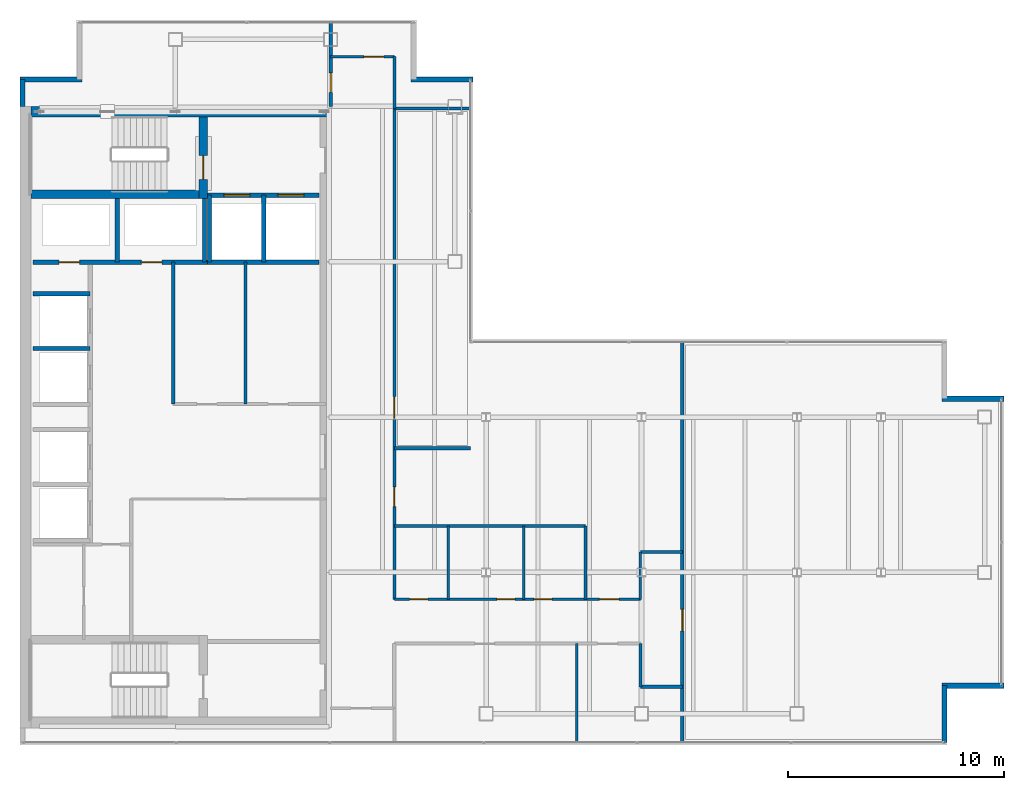
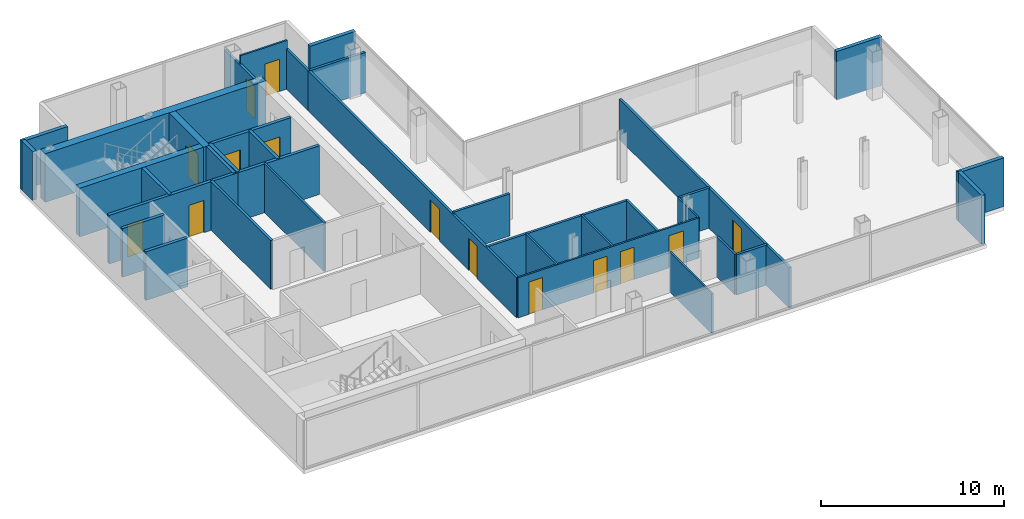
# One storey, part 21 of 23: 37 walls, 14 doors, 14 openings.
"""IFC4 building model written with IfcOpenShell, lengths in metres."""

from ifc_helpers import new_model, si_unit, direction, frame, frame_2d, origin, place, context, subcontext, project, spatial, rectangle, extrude, material, layer, layer_set, type_object, element, fill, save


model = new_model("IFC4")

# Units and contexts
model_context = context("Model", 3, precision=1e-05, world=origin(), true_north=direction((0.0, 1.0)))
body_context = subcontext(model_context, "Body", "Model", "MODEL_VIEW")
ifc_project = project(units=[si_unit("LENGTHUNIT", "METRE"), si_unit("AREAUNIT", "SQUARE_METRE"), si_unit("VOLUMEUNIT", "CUBIC_METRE"), si_unit("PLANEANGLEUNIT", "RADIAN"), si_unit("MASSUNIT", "GRAM", prefix="KILO")], contexts=[model_context])

# Site, building, storey
site_placement = place(None, origin())
site = spatial("IfcSite", under=ifc_project, at=site_placement, CompositionType="ELEMENT")
building_placement = place(site_placement, origin())
building = spatial("IfcBuilding", under=site, at=building_placement, Name="Cobrela Telecom Tower", CompositionType="ELEMENT")
storey_placement = place(building_placement, frame((0.0, 0.0, 272.64990234375)))
storey = spatial("IfcBuildingStorey", under=building, at=storey_placement, Name="L71", CompositionType="ELEMENT", Elevation=272.64990234375)

# Walls
ifc_material_1 = material(Name="Concrete C40/50", Category="concrete")
ifc_layer_1 = layer(ifc_material_1, 0.5)
ifc_layer_set_1 = layer_set([ifc_layer_1], Name="Concrete C40/50")
wall_type_1 = type_object("IfcWallType", Name="WALL-CORE-C40-500", PredefinedType="SHEAR", material=ifc_layer_set_1)
wall_1_placement = place(storey_placement, frame((0.5, 35.75, 0.0), z_axis=(0.0, 0.0, 1.0), x_axis=(1.0, 0.0, 0.0)))
element("IfcWall", 1, at=wall_1_placement, inside=storey, type_object=wall_type_1, Name="L71 North Core Shear Wall", PredefinedType="SHEAR", context=body_context, shape_type="SweptSolid", body=[
    extrude(rectangle(XDim=13.89990234375, YDim=0.5, at=frame_2d((6.949951171875, 0.0))), origin(), (0.0, 0.0, 1.0), 3.239990234375),
])
ifc_layer_2 = layer(ifc_material_1, 0.239990234375)
ifc_layer_set_2 = layer_set([ifc_layer_2], Name="Concrete C40/50")
wall_type_2 = type_object("IfcWallType", Name="WALL-EXT-300", PredefinedType="STANDARD", material=ifc_layer_set_2)
wall_2_placement = place(storey_placement, frame((0.1201171875, 36.0, 0.0), z_axis=(0.0, 0.0, 1.0), x_axis=(0.0, 1.0, 0.0)))
element("IfcWall", 2, at=wall_2_placement, inside=storey, type_object=wall_type_2, Name="L71 Insulated Facade Wall 02", PredefinedType="STANDARD", context=body_context, shape_type="SweptSolid", body=[
    extrude(rectangle(XDim=1.25, YDim=0.239990234375, at=frame_2d((0.625, 0.0))), origin(), (0.0, 0.0, 1.0), 3.239990234375),
])
for number, where, z_axis, x_axis, name in (
    (3, (0.0, 37.25, 0.0), (0.0, 0.0, 1.0), (1.0, 0.0, 0.0), "L71 Insulated Facade Wall 03"),
    (4, (18.1298828125, 37.25, 0.0), (0.0, 0.0, 1.0), (1.0, 0.0, 0.0), "L71 Insulated Facade Wall 07"),
    (5, (42.72998046875, 22.449951171875, 0.0), (0.0, 0.0, 1.0), (1.0, 0.0, 0.0), "L71 Insulated Facade Wall 11"),
    (6, (45.60009765625, 9.14990234375, 0.0), (0.0, 0.0, 1.0), (-1.0, 0.0, 0.0), "L71 Insulated Facade Wall 13"),
):
    element("IfcWall", number, at=place(storey_placement, frame(where, z_axis=z_axis, x_axis=x_axis)), inside=storey, type_object=wall_type_2, Name=name, PredefinedType="STANDARD", context=body_context, shape_type="SweptSolid", body=[
        extrude(rectangle(XDim=2.8701171875, YDim=0.239990234375, at=frame_2d((1.43505859375, 0.0))), origin(), (0.0, 0.0, 1.0), 3.239990234375),
    ])
wall_3_placement = place(storey_placement, frame((42.85009765625, 9.14990234375, 0.0), z_axis=(0.0, 0.0, 1.0), x_axis=(0.0, -1.0, 0.0)))
element("IfcWall", 7, at=wall_3_placement, inside=storey, type_object=wall_type_2, Name="L71 Insulated Facade Wall 14", PredefinedType="STANDARD", context=body_context, shape_type="SweptSolid", body=[
    extrude(rectangle(XDim=2.6298828125, YDim=0.239990234375, at=frame_2d((1.31494140625, 0.0))), origin(), (0.0, 0.0, 1.0), 3.239990234375),
])

# Wall, openings, doors
ifc_material_2 = material(Name="Fire-Rated Gypsum Plasterboard")
ifc_layer_3 = layer(ifc_material_2, 0.110107421875)
ifc_layer_set_3 = layer_set([ifc_layer_3], Name="Fire-Rated Gypsum Plasterboard")
wall_type_3 = type_object("IfcWallType", Name="WALL-PART-110", PredefinedType="PARTITIONING", material=ifc_layer_set_3)
wall_4_placement = place(storey_placement, frame((17.35009765625, 13.14990234375, 0.0), z_axis=(0.0, 0.0, 1.0), x_axis=(1.0, 0.0, 0.0)))
wall_4 = element("IfcWall", 8, at=wall_4_placement, inside=storey, type_object=wall_type_3, Name="L71 Interior Partition W-C-HN", PredefinedType="PARTITIONING", context=body_context, shape_type="SweptSolid", body=[
    extrude(rectangle(XDim=11.39990234375, YDim=0.110107421875, at=frame_2d((5.699951171875, 0.0))), origin(), (0.0, 0.0, 1.0), 2.676025390625),
])
opening_1_placement = place(wall_4_placement, frame((0.699951171875, 0.0, 0.0)))
opening_1 = element("IfcOpeningElement", 9, at=opening_1_placement, cuts=wall_4, Name="Opening DR-11", PredefinedType="OPENING", context=body_context, shape_type="SweptSolid", body=[
    extrude(rectangle(XDim=0.85009765625, YDim=2.14990234375, at=frame_2d((0.425048828125, 1.074951171875))), frame((0.0, 0.06689453125, 0.0), z_axis=(0.0, -1.0, 0.0), x_axis=(1.0, 0.0, 0.0)), (0.0, 0.0, 1.0), 0.134033203125),
])
opening_2_placement = place(wall_4_placement, frame((4.75, 0.0, 0.0)))
opening_2 = element("IfcOpeningElement", 10, at=opening_2_placement, cuts=wall_4, Name="Opening DR-11", PredefinedType="OPENING", context=body_context, shape_type="SweptSolid", body=[
    extrude(rectangle(XDim=0.85009765625, YDim=2.14990234375, at=frame_2d((0.425048828125, 1.074951171875))), frame((0.0, 0.06689453125, 0.0), z_axis=(0.0, -1.0, 0.0), x_axis=(1.0, 0.0, 0.0)), (0.0, 0.0, 1.0), 0.134033203125),
])
opening_3_placement = place(wall_4_placement, frame((6.4599609375, 0.0, 0.0)))
opening_3 = element("IfcOpeningElement", 11, at=opening_3_placement, cuts=wall_4, Name="Opening DR-11", PredefinedType="OPENING", context=body_context, shape_type="SweptSolid", body=[
    extrude(rectangle(XDim=0.85009765625, YDim=2.14990234375, at=frame_2d((0.425048828125, 1.074951171875))), frame((0.0, 0.06689453125, 0.0), z_axis=(0.0, -1.0, 0.0), x_axis=(1.0, 0.0, 0.0)), (0.0, 0.0, 1.0), 0.134033203125),
])
opening_4_placement = place(wall_4_placement, frame((9.5, 0.0, 0.0)))
opening_4 = element("IfcOpeningElement", 12, at=opening_4_placement, cuts=wall_4, Name="Opening DR-45", PredefinedType="OPENING", context=body_context, shape_type="SweptSolid", body=[
    extrude(rectangle(XDim=0.919921875, YDim=2.14990234375, at=frame_2d((0.4599609375, 1.074951171875))), frame((0.0, 0.06689453125, 0.0), z_axis=(0.0, -1.0, 0.0), x_axis=(1.0, 0.0, 0.0)), (0.0, 0.0, 1.0), 0.134033203125),
])
ifc_material_3 = material(Name="Solid Engineered Oak Timber", Category="wood")
door_type_1 = type_object("IfcDoorType", Name="DOOR-INT-850", OperationType="SINGLE_SWING_LEFT", PredefinedType="DOOR", material=ifc_material_3)
door_1_placement = place(opening_1_placement, origin())
door_1 = element("IfcDoor", 13, at=door_1_placement, inside=storey, type_object=door_type_1, Name="L71 Door DR-11", OperationType="SINGLE_SWING_LEFT", OverallHeight=2.14990234375, OverallWidth=0.85009765625, PredefinedType="DOOR", context=body_context, shape_type="SweptSolid", body=[
    extrude(rectangle(XDim=0.85009765625, YDim=2.14990234375, at=frame_2d((0.425048828125, 1.074951171875))), frame((0.0, 0.02490234375, 0.0), z_axis=(0.0, -1.0, 0.0), x_axis=(1.0, 0.0, 0.0)), (0.0, 0.0, 1.0), 0.050048828125),
])
fill(opening_1, door_1)
door_2_placement = place(opening_2_placement, origin())
door_2 = element("IfcDoor", 14, at=door_2_placement, inside=storey, type_object=door_type_1, Name="L71 Door DR-11", OperationType="SINGLE_SWING_RIGHT", OverallHeight=2.14990234375, OverallWidth=0.85009765625, PredefinedType="DOOR", context=body_context, shape_type="SweptSolid", body=[
    extrude(rectangle(XDim=0.85009765625, YDim=2.14990234375, at=frame_2d((0.425048828125, 1.074951171875))), frame((0.0, 0.02490234375, 0.0), z_axis=(0.0, -1.0, 0.0), x_axis=(1.0, 0.0, 0.0)), (0.0, 0.0, 1.0), 0.050048828125),
])
fill(opening_2, door_2)
door_3_placement = place(opening_3_placement, origin())
door_3 = element("IfcDoor", 15, at=door_3_placement, inside=storey, type_object=door_type_1, Name="L71 Door DR-11", OperationType="SINGLE_SWING_LEFT", OverallHeight=2.14990234375, OverallWidth=0.85009765625, PredefinedType="DOOR", context=body_context, shape_type="SweptSolid", body=[
    extrude(rectangle(XDim=0.85009765625, YDim=2.14990234375, at=frame_2d((0.425048828125, 1.074951171875))), frame((0.0, 0.02490234375, 0.0), z_axis=(0.0, -1.0, 0.0), x_axis=(1.0, 0.0, 0.0)), (0.0, 0.0, 1.0), 0.050048828125),
])
fill(opening_3, door_3)
door_type_2 = type_object("IfcDoorType", Name="DOOR-INT-920", OperationType="SINGLE_SWING_LEFT", PredefinedType="DOOR", material=ifc_material_3)
door_4_placement = place(opening_4_placement, origin())
door_4 = element("IfcDoor", 16, at=door_4_placement, inside=storey, type_object=door_type_2, Name="L71 Door DR-45", OperationType="SINGLE_SWING_RIGHT", OverallHeight=2.14990234375, OverallWidth=0.919921875, PredefinedType="DOOR", context=body_context, shape_type="SweptSolid", body=[
    extrude(rectangle(XDim=0.919921875, YDim=2.14990234375, at=frame_2d((0.4599609375, 1.074951171875))), frame((0.0, 0.02490234375, 0.0), z_axis=(0.0, -1.0, 0.0), x_axis=(1.0, 0.0, 0.0)), (0.0, 0.0, 1.0), 0.050048828125),
])
fill(opening_4, door_4)

# Wall
wall_5_placement = place(storey_placement, frame((28.75, 13.14990234375, 0.0), z_axis=(0.0, 0.0, 1.0), x_axis=(0.0, 1.0, 0.0)))
element("IfcWall", 17, at=wall_5_placement, inside=storey, type_object=wall_type_3, Name="L71 Interior Partition W-CT-JW2", PredefinedType="PARTITIONING", context=body_context, shape_type="SweptSolid", body=[
    extrude(rectangle(XDim=2.2001953125, YDim=0.110107421875, at=frame_2d((1.10009765625, 0.0))), origin(), (0.0, 0.0, 1.0), 2.676025390625),
])

# Wall, opening, door
wall_6_placement = place(storey_placement, frame((14.39990234375, 38.300048828125, 0.0), z_axis=(0.0, 0.0, 1.0), x_axis=(1.0, 0.0, 0.0)))
wall_6 = element("IfcWall", 18, at=wall_6_placement, inside=storey, type_object=wall_type_3, Name="L71 Interior Partition W-CN-T", PredefinedType="PARTITIONING", context=body_context, shape_type="SweptSolid", body=[
    extrude(rectangle(XDim=2.9501953125, YDim=0.110107421875, at=frame_2d((1.47509765625, 0.0))), origin(), (0.0, 0.0, 1.0), 3.239990234375),
])
opening_5_placement = place(wall_6_placement, frame((1.5400390625, 0.0, 0.0)))
opening_5 = element("IfcOpeningElement", 19, at=opening_5_placement, cuts=wall_6, Name="Opening DR-45", PredefinedType="OPENING", context=body_context, shape_type="SweptSolid", body=[
    extrude(rectangle(XDim=0.919921875, YDim=2.14990234375, at=frame_2d((0.4599609375, 1.074951171875))), frame((0.0, 0.06689453125, 0.0), z_axis=(0.0, -1.0, 0.0), x_axis=(1.0, 0.0, 0.0)), (0.0, 0.0, 1.0), 0.134033203125),
])
door_5_placement = place(opening_5_placement, origin())
door_5 = element("IfcDoor", 20, at=door_5_placement, inside=storey, type_object=door_type_2, Name="L71 Door DR-45", OperationType="SINGLE_SWING_RIGHT", OverallHeight=2.14990234375, OverallWidth=0.919921875, PredefinedType="DOOR", context=body_context, shape_type="SweptSolid", body=[
    extrude(rectangle(XDim=0.919921875, YDim=2.14990234375, at=frame_2d((0.4599609375, 1.074951171875))), frame((0.0, 0.02490234375, 0.0), z_axis=(0.0, -1.0, 0.0), x_axis=(1.0, 0.0, 0.0)), (0.0, 0.0, 1.0), 0.050048828125),
])
fill(opening_5, door_5)

# Walls
wall_7_placement = place(storey_placement, frame((25.800048828125, 6.52001953125, 0.0), z_axis=(0.0, 0.0, 1.0), x_axis=(0.0, 1.0, 0.0)))
element("IfcWall", 21, at=wall_7_placement, inside=storey, type_object=wall_type_3, Name="L71 Interior Partition W-SV-1", PredefinedType="PARTITIONING", context=body_context, shape_type="SweptSolid", body=[
    extrude(rectangle(XDim=4.580078125, YDim=0.110107421875, at=frame_2d((2.2900390625, 0.0))), origin(), (0.0, 0.0, 1.0), 2.676025390625),
])
ifc_layer_4 = layer(ifc_material_2, 0.125)
ifc_layer_set_4 = layer_set([ifc_layer_4], Name="Fire-Rated Gypsum Plasterboard")
wall_type_4 = type_object("IfcWallType", Name="WALL-PART-125", PredefinedType="PARTITIONING", material=ifc_layer_set_4)
for number, where, z_axis, x_axis, name in (
    (22, (19.85009765625, 13.14990234375, 0.0), (0.0, 0.0, 1.0), (0.0, 1.0, 0.0), "L71 Interior Partition W-WCV-1"),
    (23, (23.35009765625, 13.14990234375, 0.0), (0.0, 0.0, 1.0), (0.0, 1.0, 0.0), "L71 Interior Partition W-WCV-2"),
):
    element("IfcWall", number, at=place(storey_placement, frame(where, z_axis=z_axis, x_axis=x_axis)), inside=storey, type_object=wall_type_4, Name=name, PredefinedType="PARTITIONING", context=body_context, shape_type="SweptSolid", body=[
        extrude(rectangle(XDim=3.400146484375, YDim=0.125, at=frame_2d((1.7001953125, 0.0))), origin(), (0.0, 0.0, 1.0), 2.676025390625),
    ])
ifc_layer_5 = layer(ifc_material_2, 0.135009765625)
ifc_layer_set_5 = layer_set([ifc_layer_5], Name="Fire-Rated Gypsum Plasterboard")
wall_type_5 = type_object("IfcWallType", Name="WALL-PART-135", PredefinedType="PARTITIONING", material=ifc_layer_set_5)
wall_8_placement = place(storey_placement, frame((10.449951171875, 22.199951171875, 0.0), z_axis=(0.0, 0.0, 1.0), x_axis=(0.0, 1.0, 0.0)))
element("IfcWall", 24, at=wall_8_placement, inside=storey, type_object=wall_type_5, Name="L71 Interior Partition CW-RECL-V", PredefinedType="PARTITIONING", context=body_context, shape_type="SweptSolid", body=[
    extrude(rectangle(XDim=6.580078125, YDim=0.135009765625, at=frame_2d((3.2900390625, 0.0))), origin(), (0.0, 0.0, 1.0), 3.239990234375),
])
wall_9_placement = place(storey_placement, frame((28.75, 9.10009765625, 0.0), z_axis=(0.0, 0.0, 1.0), x_axis=(0.0, 1.0, 0.0)))
element("IfcWall", 25, at=wall_9_placement, inside=storey, type_object=wall_type_5, Name="L71 Interior Partition W-CT-JW1", PredefinedType="PARTITIONING", context=body_context, shape_type="SweptSolid", body=[
    extrude(rectangle(XDim=2.0, YDim=0.135009765625, at=frame_2d((1.0, 0.0))), origin(), (0.0, 0.0, 1.0), 2.676025390625),
])
wall_10_placement = place(storey_placement, frame((17.35009765625, 35.89990234375, 0.0), z_axis=(0.0, 0.0, 1.0), x_axis=(0.0, 1.0, 0.0)))
element("IfcWall", 26, at=wall_10_placement, inside=storey, type_object=wall_type_5, Name="L71 Interior Partition W-CN-E", PredefinedType="PARTITIONING", context=body_context, shape_type="SweptSolid", body=[
    extrude(rectangle(XDim=2.400146484375, YDim=0.135009765625, at=frame_2d((1.2001953125, 0.0))), origin(), (0.0, 0.0, 1.0), 2.676025390625),
])
wall_11_placement = place(storey_placement, frame((26.199951171875, 13.14990234375, 0.0), z_axis=(0.0, 0.0, 1.0), x_axis=(0.0, 1.0, 0.0)))
element("IfcWall", 27, at=wall_11_placement, inside=storey, type_object=wall_type_5, Name="L71 Interior Partition W-WC-R", PredefinedType="PARTITIONING", context=body_context, shape_type="SweptSolid", body=[
    extrude(rectangle(XDim=3.400146484375, YDim=0.135009765625, at=frame_2d((1.7001953125, 0.0))), origin(), (0.0, 0.0, 1.0), 2.676025390625),
])

# Wall, openings, doors
ifc_layer_6 = layer(ifc_material_2, 0.14990234375)
ifc_layer_set_6 = layer_set([ifc_layer_6], Name="Fire-Rated Gypsum Plasterboard")
wall_type_6 = type_object("IfcWallType", Name="WALL-PART-150", PredefinedType="PARTITIONING", material=ifc_layer_set_6)
wall_12_placement = place(storey_placement, frame((17.35009765625, 13.14990234375, 0.0), z_axis=(0.0, 0.0, 1.0), x_axis=(0.0, 1.0, 0.0)))
wall_12 = element("IfcWall", 28, at=wall_12_placement, inside=storey, type_object=wall_type_6, Name="L71 Interior Partition W-C-E2", PredefinedType="PARTITIONING", context=body_context, shape_type="SweptSolid", body=[
    extrude(rectangle(XDim=22.75, YDim=0.14990234375, at=frame_2d((11.375, 0.0))), origin(), (0.0, 0.0, 1.0), 2.676025390625),
])
opening_6_placement = place(wall_12_placement, frame((4.300048828125, 0.0, 0.0)))
opening_6 = element("IfcOpeningElement", 29, at=opening_6_placement, cuts=wall_12, Name="Opening DR-45", PredefinedType="OPENING", context=body_context, shape_type="SweptSolid", body=[
    extrude(rectangle(XDim=0.919921875, YDim=2.14990234375, at=frame_2d((0.4599609375, 1.074951171875))), frame((0.0, 0.0869140625, 0.0), z_axis=(0.0, -1.0, 0.0), x_axis=(1.0, 0.0, 0.0)), (0.0, 0.0, 1.0), 0.173828125),
])
opening_7_placement = place(wall_12_placement, frame((8.39990234375, 0.0, 0.0)))
opening_7 = element("IfcOpeningElement", 30, at=opening_7_placement, cuts=wall_12, Name="Opening DR-31", PredefinedType="OPENING", context=body_context, shape_type="SweptSolid", body=[
    extrude(rectangle(XDim=1.0, YDim=2.14990234375, at=frame_2d((0.5, 1.074951171875))), frame((0.0, 0.0869140625, 0.0), z_axis=(0.0, -1.0, 0.0), x_axis=(1.0, 0.0, 0.0)), (0.0, 0.0, 1.0), 0.173828125),
])
door_type_3 = type_object("IfcDoorType", Name="DOOR-INT-1000", OperationType="SINGLE_SWING_LEFT", PredefinedType="DOOR", material=ifc_material_3)
door_6_placement = place(opening_7_placement, origin())
door_6 = element("IfcDoor", 31, at=door_6_placement, inside=storey, type_object=door_type_3, Name="L71 Door DR-31", OperationType="SINGLE_SWING_LEFT", OverallHeight=2.14990234375, OverallWidth=1.0, PredefinedType="DOOR", context=body_context, shape_type="SweptSolid", body=[
    extrude(rectangle(XDim=1.0, YDim=2.14990234375, at=frame_2d((0.5, 1.074951171875))), frame((0.0, 0.02490234375, 0.0), z_axis=(0.0, -1.0, 0.0), x_axis=(1.0, 0.0, 0.0)), (0.0, 0.0, 1.0), 0.050048828125),
])
fill(opening_7, door_6)
door_7_placement = place(opening_6_placement, origin())
door_7 = element("IfcDoor", 32, at=door_7_placement, inside=storey, type_object=door_type_2, Name="L71 Door DR-45", OperationType="SINGLE_SWING_RIGHT", OverallHeight=2.14990234375, OverallWidth=0.919921875, PredefinedType="DOOR", context=body_context, shape_type="SweptSolid", body=[
    extrude(rectangle(XDim=0.919921875, YDim=2.14990234375, at=frame_2d((0.4599609375, 1.074951171875))), frame((0.0, 0.02490234375, 0.0), z_axis=(0.0, -1.0, 0.0), x_axis=(1.0, 0.0, 0.0)), (0.0, 0.0, 1.0), 0.050048828125),
])
fill(opening_6, door_7)

# Wall
wall_13_placement = place(storey_placement, frame((28.75, 15.35009765625, 0.0), z_axis=(0.0, 0.0, 1.0), x_axis=(1.0, 0.0, 0.0)))
element("IfcWall", 33, at=wall_13_placement, inside=storey, type_object=wall_type_6, Name="L71 Interior Partition W-CT-N", PredefinedType="PARTITIONING", context=body_context, shape_type="SweptSolid", body=[
    extrude(rectangle(XDim=1.949951171875, YDim=0.14990234375, at=frame_2d((0.97509765625, 0.0))), origin(), (0.0, 0.0, 1.0), 2.676025390625),
])

# Wall, opening, door
wall_14_placement = place(storey_placement, frame((14.39990234375, 36.0, 0.0), z_axis=(0.0, 0.0, 1.0), x_axis=(0.0, 1.0, 0.0)))
wall_14 = element("IfcWall", 34, at=wall_14_placement, inside=storey, type_object=wall_type_6, Name="L71 Interior Partition W-CN-W", PredefinedType="PARTITIONING", context=body_context, shape_type="SweptSolid", body=[
    extrude(rectangle(XDim=3.8798828125, YDim=0.14990234375, at=frame_2d((1.93994140625, 0.0))), origin(), (0.0, 0.0, 1.0), 2.676025390625),
])
opening_8_placement = place(wall_14_placement, frame((0.64990234375, 0.0, 0.0)))
opening_8 = element("IfcOpeningElement", 35, at=opening_8_placement, cuts=wall_14, Name="Opening DR-41", PredefinedType="OPENING", context=body_context, shape_type="SweptSolid", body=[
    extrude(rectangle(XDim=0.89990234375, YDim=2.14990234375, at=frame_2d((0.449951171875, 1.074951171875))), frame((0.0, 0.0869140625, 0.0), z_axis=(0.0, -1.0, 0.0), x_axis=(1.0, 0.0, 0.0)), (0.0, 0.0, 1.0), 0.173828125),
])
door_type_4 = type_object("IfcDoorType", Name="DOOR-INT-900", OperationType="SINGLE_SWING_LEFT", PredefinedType="DOOR", material=ifc_material_3)
door_8_placement = place(opening_8_placement, origin())
door_8 = element("IfcDoor", 36, at=door_8_placement, inside=storey, type_object=door_type_4, Name="L71 Door DR-41", OperationType="SINGLE_SWING_LEFT", OverallHeight=2.14990234375, OverallWidth=0.89990234375, PredefinedType="DOOR", context=body_context, shape_type="SweptSolid", body=[
    extrude(rectangle(XDim=0.89990234375, YDim=2.14990234375, at=frame_2d((0.449951171875, 1.074951171875))), frame((0.0, 0.02490234375, 0.0), z_axis=(0.0, -1.0, 0.0), x_axis=(1.0, 0.0, 0.0)), (0.0, 0.0, 1.0), 0.050048828125),
])
fill(opening_8, door_8)

# Walls
wall_15_placement = place(storey_placement, frame((17.35009765625, 16.550048828125, 0.0), z_axis=(0.0, 0.0, 1.0), x_axis=(1.0, 0.0, 0.0)))
element("IfcWall", 37, at=wall_15_placement, inside=storey, type_object=wall_type_6, Name="L71 Interior Partition W-WC-N", PredefinedType="PARTITIONING", context=body_context, shape_type="SweptSolid", body=[
    extrude(rectangle(XDim=8.849853515625, YDim=0.14990234375, at=frame_2d((4.4248046875, 0.0))), origin(), (0.0, 0.0, 1.0), 2.676025390625),
])
wall_16_placement = place(storey_placement, frame((17.35009765625, 20.14990234375, 0.0), z_axis=(0.0, 0.0, 1.0), x_axis=(1.0, 0.0, 0.0)))
element("IfcWall", 38, at=wall_16_placement, inside=storey, type_object=wall_type_6, Name="L71 Interior Partition W-NPAN-T", PredefinedType="PARTITIONING", context=body_context, shape_type="SweptSolid", body=[
    extrude(rectangle(XDim=3.52978515625, YDim=0.14990234375, at=frame_2d((1.764892578125, 0.0))), origin(), (0.0, 0.0, 1.0), 2.80810546875),
])
ifc_layer_7 = layer(ifc_material_2, 0.159912109375)
ifc_layer_set_7 = layer_set([ifc_layer_7], Name="Fire-Rated Gypsum Plasterboard")
wall_type_7 = type_object("IfcWallType", Name="WALL-PART-160", PredefinedType="PARTITIONING", material=ifc_layer_set_7)
wall_17_placement = place(storey_placement, frame((7.10009765625, 22.199951171875, 0.0), z_axis=(0.0, 0.0, 1.0), x_axis=(0.0, 1.0, 0.0)))
element("IfcWall", 39, at=wall_17_placement, inside=storey, type_object=wall_type_7, Name="L71 Interior Partition CW-RECL-W", PredefinedType="PARTITIONING", context=body_context, shape_type="SweptSolid", body=[
    extrude(rectangle(XDim=6.580078125, YDim=0.159912109375, at=frame_2d((3.2900390625, 0.0))), origin(), (0.0, 0.0, 1.0), 3.239990234375),
])
wall_18_placement = place(storey_placement, frame((28.75, 9.10009765625, 0.0), z_axis=(0.0, 0.0, 1.0), x_axis=(1.0, 0.0, 0.0)))
element("IfcWall", 40, at=wall_18_placement, inside=storey, type_object=wall_type_7, Name="L71 Interior Partition W-CT-S", PredefinedType="PARTITIONING", context=body_context, shape_type="SweptSolid", body=[
    extrude(rectangle(XDim=1.949951171875, YDim=0.159912109375, at=frame_2d((0.97509765625, 0.0))), origin(), (0.0, 0.0, 1.0), 2.676025390625),
])

# Wall, opening, door
wall_19_placement = place(storey_placement, frame((30.699951171875, 6.52001953125, 0.0), z_axis=(0.0, 0.0, 1.0), x_axis=(0.0, 1.0, 0.0)))
wall_19 = element("IfcWall", 41, at=wall_19_placement, inside=storey, type_object=wall_type_7, Name="L71 Interior Partition W-C-END", PredefinedType="PARTITIONING", context=body_context, shape_type="SweptSolid", body=[
    extrude(rectangle(XDim=18.56005859375, YDim=0.159912109375, at=frame_2d((9.280029296875, 0.0))), origin(), (0.0, 0.0, 1.0), 2.676025390625),
])
opening_9_placement = place(wall_19_placement, frame((5.169921875, 0.0, 0.0)))
opening_9 = element("IfcOpeningElement", 42, at=opening_9_placement, cuts=wall_19, Name="Opening DR-31", PredefinedType="OPENING", context=body_context, shape_type="SweptSolid", body=[
    extrude(rectangle(XDim=1.0, YDim=2.14990234375, at=frame_2d((0.5, 1.074951171875))), frame((0.0, 0.091796875, 0.0), z_axis=(0.0, -1.0, 0.0), x_axis=(1.0, 0.0, 0.0)), (0.0, 0.0, 1.0), 0.183837890625),
])
door_9_placement = place(opening_9_placement, origin())
door_9 = element("IfcDoor", 43, at=door_9_placement, inside=storey, type_object=door_type_3, Name="L71 Door DR-31", OperationType="SINGLE_SWING_LEFT", OverallHeight=2.14990234375, OverallWidth=1.0, PredefinedType="DOOR", context=body_context, shape_type="SweptSolid", body=[
    extrude(rectangle(XDim=1.0, YDim=2.14990234375, at=frame_2d((0.5, 1.074951171875))), frame((0.0, 0.02490234375, 0.0), z_axis=(0.0, -1.0, 0.0), x_axis=(1.0, 0.0, 0.0)), (0.0, 0.0, 1.0), 0.050048828125),
])
fill(opening_9, door_9)

# Wall
wall_20_placement = place(storey_placement, frame((17.35009765625, 35.89990234375, 0.0), z_axis=(0.0, 0.0, 1.0), x_axis=(1.0, 0.0, 0.0)))
element("IfcWall", 44, at=wall_20_placement, inside=storey, type_object=wall_type_7, Name="L71 Interior Partition W-NW2-S", PredefinedType="PARTITIONING", context=body_context, shape_type="SweptSolid", body=[
    extrude(rectangle(XDim=3.52978515625, YDim=0.159912109375, at=frame_2d((1.764892578125, 0.0))), origin(), (0.0, 0.0, 1.0), 2.676025390625),
])

# Wall, openings, doors
ifc_layer_8 = layer(ifc_material_2, 0.199951171875)
ifc_layer_set_8 = layer_set([ifc_layer_8], Name="Fire-Rated Gypsum Plasterboard")
wall_type_8 = type_object("IfcWallType", Name="WALL-SHAFT-200", PredefinedType="PARTITIONING", material=ifc_layer_set_8)
wall_21_placement = place(storey_placement, frame((8.699951171875, 31.8798828125, 0.0), z_axis=(0.0, 0.0, 1.0), x_axis=(1.0, 0.0, 0.0)))
wall_21 = element("IfcWall", 45, at=wall_21_placement, inside=storey, type_object=wall_type_8, Name="L71 Shaft Enclosure CW-FFL-S", PredefinedType="PARTITIONING", context=body_context, shape_type="SweptSolid", body=[
    extrude(rectangle(XDim=5.150146484375, YDim=0.199951171875, at=frame_2d((2.5751953125, 0.0))), origin(), (0.0, 0.0, 1.0), 3.239990234375),
])
opening_10_placement = place(wall_21_placement, frame((0.75, 0.0, 0.0)))
opening_10 = element("IfcOpeningElement", 46, at=opening_10_placement, cuts=wall_21, Name="Opening LD-2", PredefinedType="OPENING", context=body_context, shape_type="SweptSolid", body=[
    extrude(rectangle(XDim=1.199951171875, YDim=2.199951171875, at=frame_2d((0.60009765625, 1.10009765625))), frame((0.0, 0.11181640625, 0.0), z_axis=(0.0, -1.0, 0.0), x_axis=(1.0, 0.0, 0.0)), (0.0, 0.0, 1.0), 0.223876953125),
])
opening_11_placement = place(wall_21_placement, frame((3.25, 0.0, 0.0)))
opening_11 = element("IfcOpeningElement", 47, at=opening_11_placement, cuts=wall_21, Name="Opening LD-2", PredefinedType="OPENING", context=body_context, shape_type="SweptSolid", body=[
    extrude(rectangle(XDim=1.199951171875, YDim=2.199951171875, at=frame_2d((0.60009765625, 1.10009765625))), frame((0.0, 0.11181640625, 0.0), z_axis=(0.0, -1.0, 0.0), x_axis=(1.0, 0.0, 0.0)), (0.0, 0.0, 1.0), 0.223876953125),
])
ifc_material_4 = material(Name="Steel ASTM A36", Category="steel")
door_type_5 = type_object("IfcDoorType", Name="DOOR-LD-FFL", OperationType="SINGLE_SWING_LEFT", PredefinedType="DOOR", material=ifc_material_4)
door_10_placement = place(opening_10_placement, origin())
door_10 = element("IfcDoor", 48, at=door_10_placement, inside=storey, type_object=door_type_5, Name="L71 Lift Landing Door LD-2", OperationType="DOUBLE_DOOR_SLIDING", OverallHeight=2.199951171875, OverallWidth=1.199951171875, PredefinedType="DOOR", context=body_context, shape_type="SweptSolid", body=[
    extrude(rectangle(XDim=1.199951171875, YDim=2.199951171875, at=frame_2d((0.60009765625, 1.10009765625))), frame((0.0, 0.02490234375, 0.0), z_axis=(0.0, -1.0, 0.0), x_axis=(1.0, 0.0, 0.0)), (0.0, 0.0, 1.0), 0.050048828125),
])
fill(opening_10, door_10)
door_11_placement = place(opening_11_placement, origin())
door_11 = element("IfcDoor", 49, at=door_11_placement, inside=storey, type_object=door_type_5, Name="L71 Lift Landing Door LD-2", OperationType="DOUBLE_DOOR_SLIDING", OverallHeight=2.199951171875, OverallWidth=1.199951171875, PredefinedType="DOOR", context=body_context, shape_type="SweptSolid", body=[
    extrude(rectangle(XDim=1.199951171875, YDim=2.199951171875, at=frame_2d((0.60009765625, 1.10009765625))), frame((0.0, 0.02490234375, 0.0), z_axis=(0.0, -1.0, 0.0), x_axis=(1.0, 0.0, 0.0)), (0.0, 0.0, 1.0), 0.050048828125),
])
fill(opening_11, door_11)

# Walls
wall_22_placement = place(storey_placement, frame((8.699951171875, 28.780029296875, 0.0), z_axis=(0.0, 0.0, 1.0), x_axis=(1.0, 0.0, 0.0)))
element("IfcWall", 50, at=wall_22_placement, inside=storey, type_object=wall_type_8, Name="L71 Shaft Enclosure CW-FFL-S2", PredefinedType="PARTITIONING", context=body_context, shape_type="SweptSolid", body=[
    extrude(rectangle(XDim=5.150146484375, YDim=0.199951171875, at=frame_2d((2.5751953125, 0.0))), origin(), (0.0, 0.0, 1.0), 3.239990234375),
])
for number, where, z_axis, x_axis, name in (
    (51, (8.780029296875, 28.780029296875, 0.0), (0.0, 0.0, 1.0), (0.0, 1.0, 0.0), "L71 Shaft Enclosure CW-FFL-W"),
    (52, (11.300048828125, 28.780029296875, 0.0), (0.0, 0.0, 1.0), (0.0, 1.0, 0.0), "L71 Shaft Enclosure CW-FFL-M"),
):
    element("IfcWall", number, at=place(storey_placement, frame(where, z_axis=z_axis, x_axis=x_axis)), inside=storey, type_object=wall_type_8, Name=name, PredefinedType="PARTITIONING", context=body_context, shape_type="SweptSolid", body=[
        extrude(rectangle(XDim=3.099853515625, YDim=0.199951171875, at=frame_2d((1.5498046875, 0.0))), origin(), (0.0, 0.0, 1.0), 3.239990234375),
    ])

# Wall, openings, doors
wall_23_placement = place(storey_placement, frame((0.60009765625, 28.780029296875, 0.0), z_axis=(0.0, 0.0, 1.0), x_axis=(1.0, 0.0, 0.0)))
wall_23 = element("IfcWall", 53, at=wall_23_placement, inside=storey, type_object=wall_type_8, Name="L71 Shaft Enclosure CW-RIS-S", PredefinedType="PARTITIONING", context=body_context, shape_type="SweptSolid", body=[
    extrude(rectangle(XDim=8.179931640625, YDim=0.199951171875, at=frame_2d((4.08984375, 0.0))), origin(), (0.0, 0.0, 1.0), 3.239990234375),
])
opening_12_placement = place(wall_23_placement, frame((1.2099609375, 0.0, 0.0)))
opening_12 = element("IfcOpeningElement", 54, at=opening_12_placement, cuts=wall_23, Name="Opening DR-65", PredefinedType="OPENING", context=body_context, shape_type="SweptSolid", body=[
    extrude(rectangle(XDim=0.949951171875, YDim=2.14990234375, at=frame_2d((0.47509765625, 1.074951171875))), frame((0.0, 0.11181640625, 0.0), z_axis=(0.0, -1.0, 0.0), x_axis=(1.0, 0.0, 0.0)), (0.0, 0.0, 1.0), 0.223876953125),
])
opening_13_placement = place(wall_23_placement, frame((5.030029296875, 0.0, 0.0)))
opening_13 = element("IfcOpeningElement", 55, at=opening_13_placement, cuts=wall_23, Name="Opening DR-65", PredefinedType="OPENING", context=body_context, shape_type="SweptSolid", body=[
    extrude(rectangle(XDim=0.949951171875, YDim=2.14990234375, at=frame_2d((0.47509765625, 1.074951171875))), frame((0.0, 0.11181640625, 0.0), z_axis=(0.0, -1.0, 0.0), x_axis=(1.0, 0.0, 0.0)), (0.0, 0.0, 1.0), 0.223876953125),
])
door_type_6 = type_object("IfcDoorType", Name="DOOR-FD60-950", OperationType="SINGLE_SWING_LEFT", PredefinedType="DOOR", material=ifc_material_4)
door_12_placement = place(opening_12_placement, origin())
door_12 = element("IfcDoor", 56, at=door_12_placement, inside=storey, type_object=door_type_6, Name="L71 Door DR-65", OperationType="SINGLE_SWING_LEFT", OverallHeight=2.14990234375, OverallWidth=0.949951171875, PredefinedType="DOOR", context=body_context, shape_type="SweptSolid", body=[
    extrude(rectangle(XDim=0.949951171875, YDim=2.14990234375, at=frame_2d((0.47509765625, 1.074951171875))), frame((0.0, 0.02490234375, 0.0), z_axis=(0.0, -1.0, 0.0), x_axis=(1.0, 0.0, 0.0)), (0.0, 0.0, 1.0), 0.050048828125),
])
fill(opening_12, door_12)
door_13_placement = place(opening_13_placement, origin())
door_13 = element("IfcDoor", 57, at=door_13_placement, inside=storey, type_object=door_type_6, Name="L71 Door DR-65", OperationType="SINGLE_SWING_RIGHT", OverallHeight=2.14990234375, OverallWidth=0.949951171875, PredefinedType="DOOR", context=body_context, shape_type="SweptSolid", body=[
    extrude(rectangle(XDim=0.949951171875, YDim=2.14990234375, at=frame_2d((0.47509765625, 1.074951171875))), frame((0.0, 0.02490234375, 0.0), z_axis=(0.0, -1.0, 0.0), x_axis=(1.0, 0.0, 0.0)), (0.0, 0.0, 1.0), 0.050048828125),
])
fill(opening_13, door_13)

# Walls
for number, where, z_axis, x_axis, name in (
    (58, (4.5, 28.780029296875, 0.0), (0.0, 0.0, 1.0), (0.0, 1.0, 0.0), "L71 Shaft Enclosure CW-RIS-M"),
    (59, (8.550048828125, 28.780029296875, 0.0), (0.0, 0.0, 1.0), (0.0, 1.0, 0.0), "L71 Shaft Enclosure CW-RIS-E"),
):
    element("IfcWall", number, at=place(storey_placement, frame(where, z_axis=z_axis, x_axis=x_axis)), inside=storey, type_object=wall_type_8, Name=name, PredefinedType="PARTITIONING", context=body_context, shape_type="SweptSolid", body=[
        extrude(rectangle(XDim=2.93994140625, YDim=0.199951171875, at=frame_2d((1.469970703125, 0.0))), origin(), (0.0, 0.0, 1.0), 3.239990234375),
    ])
for number, where, z_axis, x_axis, name in (
    (60, (0.60009765625, 24.780029296875, 0.0), (0.0, 0.0, 1.0), (1.0, 0.0, 0.0), "L71 Shaft Enclosure CW-PLH-D12"),
    (61, (0.60009765625, 27.320068359375, 0.0), (0.0, 0.0, 1.0), (1.0, 0.0, 0.0), "L71 Shaft Enclosure CW-PLH-TOP"),
):
    element("IfcWall", number, at=place(storey_placement, frame(where, z_axis=z_axis, x_axis=x_axis)), inside=storey, type_object=wall_type_8, Name=name, PredefinedType="PARTITIONING", context=body_context, shape_type="SweptSolid", body=[
        extrude(rectangle(XDim=2.64990234375, YDim=0.199951171875, at=frame_2d((1.324951171875, 0.0))), origin(), (0.0, 0.0, 1.0), 3.239990234375),
    ])
ifc_layer_9 = layer(ifc_material_1, 0.39990234375)
ifc_layer_set_9 = layer_set([ifc_layer_9], Name="Concrete C40/50")
wall_type_9 = type_object("IfcWallType", Name="WALL-SHAFT-C40-400", PredefinedType="SHEAR", material=ifc_layer_set_9)
wall_24_placement = place(storey_placement, frame((0.5, 31.919921875, 0.0), z_axis=(0.0, 0.0, 1.0), x_axis=(1.0, 0.0, 0.0)))
element("IfcWall", 62, at=wall_24_placement, inside=storey, type_object=wall_type_9, Name="L71 North Stair Shear Wall", PredefinedType="SHEAR", context=body_context, shape_type="SweptSolid", body=[
    extrude(rectangle(XDim=7.800048828125, YDim=0.39990234375, at=frame_2d((3.89990234375, 0.0))), origin(), (0.0, 0.0, 1.0), 3.239990234375),
])

# Wall, opening, door
wall_25_placement = place(storey_placement, frame((8.5, 31.719970703125, 0.0), z_axis=(0.0, 0.0, 1.0), x_axis=(0.0, 1.0, 0.0)))
wall_25 = element("IfcWall", 63, at=wall_25_placement, inside=storey, type_object=wall_type_9, Name="L71 North Stair Lobby Shear Wall", PredefinedType="SHEAR", context=body_context, shape_type="SweptSolid", body=[
    extrude(rectangle(XDim=3.780029296875, YDim=0.39990234375, at=frame_2d((1.89013671875, 0.0))), origin(), (0.0, 0.0, 1.0), 3.239990234375),
])
opening_14_placement = place(wall_25_placement, frame((0.89990234375, 0.0, 0.0)))
opening_14 = element("IfcOpeningElement", 64, at=opening_14_placement, cuts=wall_25, Name="Opening DR-59", PredefinedType="OPENING", context=body_context, shape_type="SweptSolid", body=[
    extrude(rectangle(XDim=1.10009765625, YDim=2.14990234375, at=frame_2d((0.550048828125, 1.074951171875))), frame((0.0, 0.2119140625, 0.0), z_axis=(0.0, -1.0, 0.0), x_axis=(1.0, 0.0, 0.0)), (0.0, 0.0, 1.0), 0.423828125),
])
door_type_7 = type_object("IfcDoorType", Name="DOOR-FD60-1100", OperationType="SINGLE_SWING_LEFT", PredefinedType="DOOR", material=ifc_material_4)
door_14_placement = place(opening_14_placement, origin())
door_14 = element("IfcDoor", 65, at=door_14_placement, inside=storey, type_object=door_type_7, Name="L71 Door DR-59", OperationType="SINGLE_SWING_RIGHT", OverallHeight=2.14990234375, OverallWidth=1.10009765625, PredefinedType="DOOR", context=body_context, shape_type="SweptSolid", body=[
    extrude(rectangle(XDim=1.10009765625, YDim=2.14990234375, at=frame_2d((0.550048828125, 1.074951171875))), frame((0.0, 0.02490234375, 0.0), z_axis=(0.0, -1.0, 0.0), x_axis=(1.0, 0.0, 0.0)), (0.0, 0.0, 1.0), 0.050048828125),
])
fill(opening_14, door_14)

save(model, "model.ifc")
